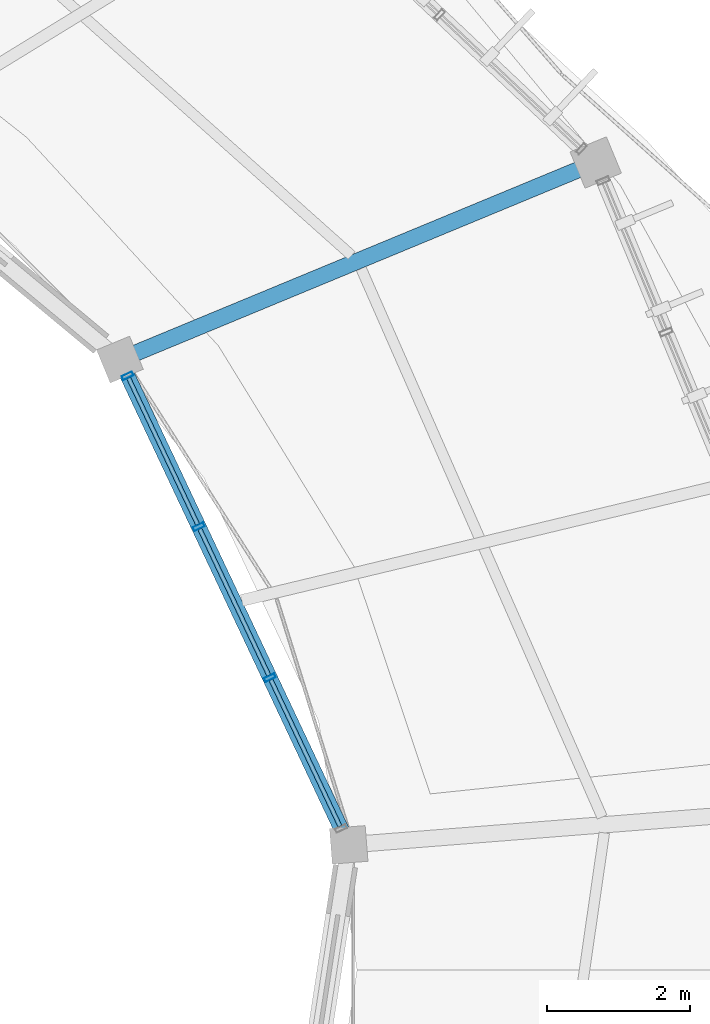
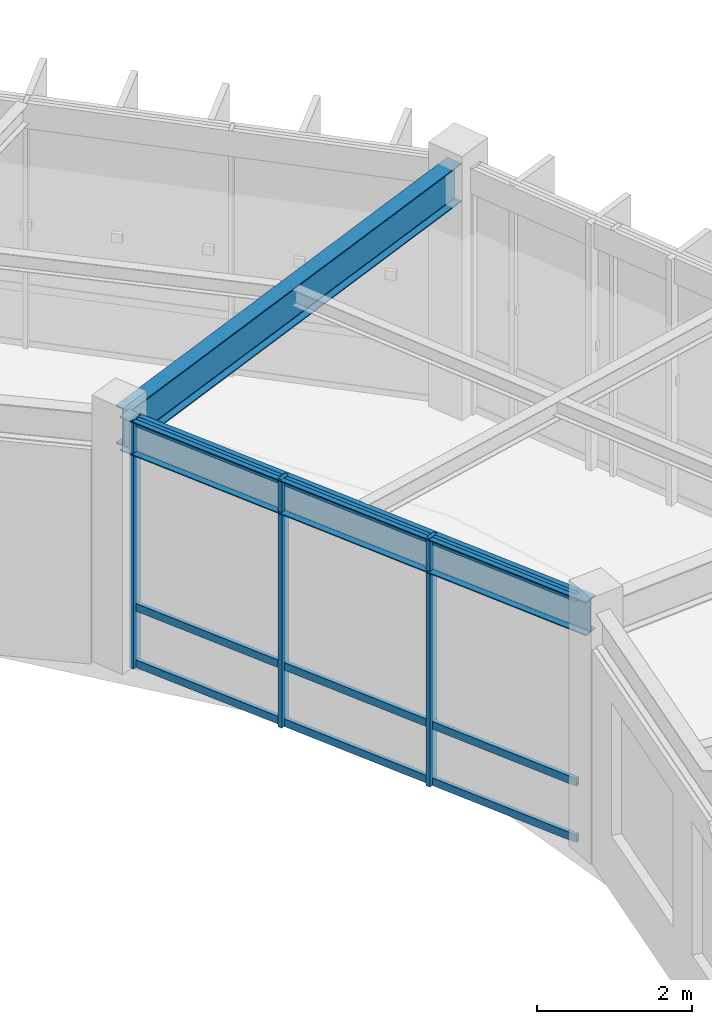
# One storey, part 53 of 79: 12 members, 2 beams, 1 element without a shape of its own.
"""IFC4 building model written with IfcOpenShell, lengths in metres."""

from ifc_helpers import new_model, si_unit, direction, frame, origin, origin_2d, place, context, subcontext, project, spatial, hollow_rectangle, i_section, extrude, material, material_profile, profile_set, type_object, element, aggregate, save


model = new_model("IFC4")

# Units and contexts
model_context = context("Model", 3, precision=1e-05, world=origin(), true_north=direction((0.0, 1.0)))
body_context = subcontext(model_context, "Body", "Model", "MODEL_VIEW")
ifc_project = project(units=[si_unit("LENGTHUNIT", "METRE"), si_unit("AREAUNIT", "SQUARE_METRE"), si_unit("VOLUMEUNIT", "CUBIC_METRE"), si_unit("PLANEANGLEUNIT", "RADIAN"), si_unit("MASSUNIT", "GRAM", prefix="KILO"), si_unit("THERMODYNAMICTEMPERATUREUNIT", "KELVIN"), si_unit("POWERUNIT", "WATT")], contexts=[model_context])

# Site, building, storey
site_placement = place(None, origin())
site = spatial("IfcSite", under=ifc_project, at=site_placement, CompositionType="ELEMENT")
building_placement = place(site_placement, origin())
building = spatial("IfcBuilding", under=site, at=building_placement, Name="Darbajah Civic Hall", CompositionType="ELEMENT")
storey_placement = place(building_placement, frame((0.0, 0.0, 22.199951171875)))
storey = spatial("IfcBuildingStorey", under=building, at=storey_placement, Name="L05", CompositionType="ELEMENT", Elevation=22.199951171875)

# Curtain wall, members
ifc_material_1 = material(Name="Anodised Bronze Aluminium and Low-E Glazing", Category="aluminium")
curtain_wall_type = type_object("IfcCurtainWallType", Name="Unitised Curtain Wall CW-78 7000x3900", PredefinedType="USERDEFINED", material=ifc_material_1)
curtain_wall_placement = place(storey_placement, origin())
curtain_wall = element("IfcCurtainWall", 1, at=curtain_wall_placement, inside=storey, type_object=curtain_wall_type, Name="L05 unitised curtain wall CW-V1I-L05-00", ObjectType="UNITISED CURTAIN WALL", PredefinedType="USERDEFINED")
ifc_material_2 = material(Name="Anodised Bronze Aluminium", Category="aluminium")
ifc_material_profile_1 = material_profile(ifc_material_2, hollow_rectangle(XDim=0.06005859375, YDim=0.159912109375, WallThickness=0.00341796875, at=origin_2d()), Name="ALU MULLION 60x160")
ifc_profile_set_1 = profile_set([ifc_material_profile_1], Name="Anodised Bronze Aluminium")
member_type_1 = type_object("IfcMemberType", Name="ALU MULLION 60x160", PredefinedType="MULLION", material=ifc_profile_set_1)
member_1_placement = place(storey_placement, frame((131.662841796875, 93.886962890625, 0.0), z_axis=(0.0, 0.0, 1.0), x_axis=(-0.426568739901, 0.904455145454, 0.0)))
member_1 = element("IfcMember", 2, at=member_1_placement, type_object=member_type_1, Name="CW-V1I-L05-00 mullion 2", PredefinedType="MULLION", context=body_context, shape_type="SweptSolid", body=[
    extrude(hollow_rectangle(XDim=0.06005859375, YDim=0.159912109375, WallThickness=0.00341796875, at=origin_2d()), origin(), (0.0, 0.0, 1.0), 3.920166015625),
])
member_2_placement = place(storey_placement, frame((130.668212890625, 95.996337890625, 0.0), z_axis=(0.0, 0.0, 1.0), x_axis=(-0.426568739901, 0.904455145454, 0.0)))
member_2 = element("IfcMember", 3, at=member_2_placement, type_object=member_type_1, Name="CW-V1I-L05-00 mullion 3", PredefinedType="MULLION", context=body_context, shape_type="SweptSolid", body=[
    extrude(hollow_rectangle(XDim=0.06005859375, YDim=0.159912109375, WallThickness=0.00341796875, at=origin_2d()), origin(), (0.0, 0.0, 1.0), 3.920166015625),
])
member_3_placement = place(storey_placement, frame((129.67333984375, 98.10595703125, 0.0), z_axis=(0.0, 0.0, 1.0), x_axis=(-0.426568739901, 0.904455145454, 0.0)))
member_3 = element("IfcMember", 4, at=member_3_placement, type_object=member_type_1, Name="CW-V1I-L05-00 mullion 4", PredefinedType="MULLION", context=body_context, shape_type="SweptSolid", body=[
    extrude(hollow_rectangle(XDim=0.06005859375, YDim=0.159912109375, WallThickness=0.00341796875, at=origin_2d()), origin(), (0.0, 0.0, 1.0), 3.920166015625),
])
ifc_material_profile_2 = material_profile(ifc_material_2, hollow_rectangle(XDim=0.06005859375, YDim=0.1201171875, WallThickness=0.003173828125, at=origin_2d()), Name="ALU TRANSOM 60x120")
ifc_profile_set_2 = profile_set([ifc_material_profile_2], Name="Anodised Bronze Aluminium")
member_type_2 = type_object("IfcMemberType", Name="ALU TRANSOM 60x120", PredefinedType="USERDEFINED", material=ifc_profile_set_2)
member_4_placement = place(storey_placement, frame((132.642578125, 91.80908203125, 0.06005859375), z_axis=(-0.426503743016, 0.904485797121, 0.0), x_axis=(-0.904485797121, -0.426503743016, 0.0)))
member_4 = element("IfcMember", 5, at=member_4_placement, type_object=member_type_2, Name="CW-V1I-L05-00 transom 1.1", ObjectType="TRANSOM", PredefinedType="USERDEFINED", context=body_context, shape_type="SweptSolid", body=[
    extrude(hollow_rectangle(XDim=0.06005859375, YDim=0.1201171875, WallThickness=0.003173828125, at=origin_2d()), origin(), (0.0, 0.0, 1.0), 2.26220703125),
])
member_5_placement = place(storey_placement, frame((132.642578125, 91.80908203125, 0.949951171875), z_axis=(-0.426503743016, 0.904485797121, 0.0), x_axis=(-0.904485797121, -0.426503743016, 0.0)))
member_5 = element("IfcMember", 6, at=member_5_placement, type_object=member_type_2, Name="CW-V1I-L05-00 transom 1.2", ObjectType="TRANSOM", PredefinedType="USERDEFINED", context=body_context, shape_type="SweptSolid", body=[
    extrude(hollow_rectangle(XDim=0.06005859375, YDim=0.1201171875, WallThickness=0.003173828125, at=origin_2d()), origin(), (0.0, 0.0, 1.0), 2.26220703125),
])
member_6_placement = place(storey_placement, frame((132.642578125, 91.80908203125, 3.860107421875), z_axis=(-0.426503743016, 0.904485797121, 0.0), x_axis=(-0.904485797121, -0.426503743016, 0.0)))
member_6 = element("IfcMember", 7, at=member_6_placement, type_object=member_type_2, Name="CW-V1I-L05-00 transom 1.3", ObjectType="TRANSOM", PredefinedType="USERDEFINED", context=body_context, shape_type="SweptSolid", body=[
    extrude(hollow_rectangle(XDim=0.06005859375, YDim=0.1201171875, WallThickness=0.003173828125, at=origin_2d()), origin(), (0.0, 0.0, 1.0), 2.26220703125),
])
member_7_placement = place(storey_placement, frame((131.64794921875, 93.918701171875, 0.06005859375), z_axis=(-0.426503743016, 0.904485797121, 0.0), x_axis=(-0.904485797121, -0.426503743016, 0.0)))
member_7 = element("IfcMember", 8, at=member_7_placement, type_object=member_type_2, Name="CW-V1I-L05-00 transom 2.1", ObjectType="TRANSOM", PredefinedType="USERDEFINED", context=body_context, shape_type="SweptSolid", body=[
    extrude(hollow_rectangle(XDim=0.06005859375, YDim=0.1201171875, WallThickness=0.003173828125, at=origin_2d()), origin(), (0.0, 0.0, 1.0), 2.26220703125),
])
member_8_placement = place(storey_placement, frame((131.64794921875, 93.918701171875, 0.949951171875), z_axis=(-0.426503743016, 0.904485797121, 0.0), x_axis=(-0.904485797121, -0.426503743016, 0.0)))
member_8 = element("IfcMember", 9, at=member_8_placement, type_object=member_type_2, Name="CW-V1I-L05-00 transom 2.2", ObjectType="TRANSOM", PredefinedType="USERDEFINED", context=body_context, shape_type="SweptSolid", body=[
    extrude(hollow_rectangle(XDim=0.06005859375, YDim=0.1201171875, WallThickness=0.003173828125, at=origin_2d()), origin(), (0.0, 0.0, 1.0), 2.26220703125),
])
member_9_placement = place(storey_placement, frame((131.64794921875, 93.918701171875, 3.860107421875), z_axis=(-0.426503743016, 0.904485797121, 0.0), x_axis=(-0.904485797121, -0.426503743016, 0.0)))
member_9 = element("IfcMember", 10, at=member_9_placement, type_object=member_type_2, Name="CW-V1I-L05-00 transom 2.3", ObjectType="TRANSOM", PredefinedType="USERDEFINED", context=body_context, shape_type="SweptSolid", body=[
    extrude(hollow_rectangle(XDim=0.06005859375, YDim=0.1201171875, WallThickness=0.003173828125, at=origin_2d()), origin(), (0.0, 0.0, 1.0), 2.26220703125),
])
member_10_placement = place(storey_placement, frame((130.6533203125, 96.028076171875, 0.06005859375), z_axis=(-0.426592026493, 0.904444162418, 0.0), x_axis=(-0.904444162418, -0.426592026493, 0.0)))
member_10 = element("IfcMember", 11, at=member_10_placement, type_object=member_type_2, Name="CW-V1I-L05-00 transom 3.1", ObjectType="TRANSOM", PredefinedType="USERDEFINED", context=body_context, shape_type="SweptSolid", body=[
    extrude(hollow_rectangle(XDim=0.06005859375, YDim=0.1201171875, WallThickness=0.003173828125, at=origin_2d()), origin(), (0.0, 0.0, 1.0), 2.26220703125),
])
member_11_placement = place(storey_placement, frame((130.6533203125, 96.028076171875, 0.949951171875), z_axis=(-0.426592026493, 0.904444162418, 0.0), x_axis=(-0.904444162418, -0.426592026493, 0.0)))
member_11 = element("IfcMember", 12, at=member_11_placement, type_object=member_type_2, Name="CW-V1I-L05-00 transom 3.2", ObjectType="TRANSOM", PredefinedType="USERDEFINED", context=body_context, shape_type="SweptSolid", body=[
    extrude(hollow_rectangle(XDim=0.06005859375, YDim=0.1201171875, WallThickness=0.003173828125, at=origin_2d()), origin(), (0.0, 0.0, 1.0), 2.26220703125),
])
member_12_placement = place(storey_placement, frame((130.6533203125, 96.028076171875, 3.860107421875), z_axis=(-0.426592026493, 0.904444162418, 0.0), x_axis=(-0.904444162418, -0.426592026493, 0.0)))
member_12 = element("IfcMember", 13, at=member_12_placement, type_object=member_type_2, Name="CW-V1I-L05-00 transom 3.3", ObjectType="TRANSOM", PredefinedType="USERDEFINED", context=body_context, shape_type="SweptSolid", body=[
    extrude(hollow_rectangle(XDim=0.06005859375, YDim=0.1201171875, WallThickness=0.003173828125, at=origin_2d()), origin(), (0.0, 0.0, 1.0), 2.26220703125),
])
aggregate(curtain_wall, [member_1, member_2, member_3, member_4, member_5, member_6, member_7, member_8, member_9, member_10, member_11, member_12])

# Beams
ifc_material_3 = material(Name="Steel S355JR", Category="steel")
ifc_material_profile_3 = material_profile(ifc_material_3, i_section(OverallWidth=0.209228515625, OverallDepth=0.533203125, WebThickness=0.010009765625, FlangeThickness=0.015625, FilletRadius=0.0126953125, at=origin_2d()), Name="UB 533x210x92")
ifc_profile_set_3 = profile_set([ifc_material_profile_3], Name="Steel S355JR")
beam_type_1 = type_object("IfcBeamType", Name="UB 533x210x92", PredefinedType="BEAM", material=ifc_profile_set_3)
beam_1_placement = place(storey_placement, frame((132.73095703125, 91.6220703125, 3.653564453125), z_axis=(-0.426514469485, 0.904480739054, 0.0), x_axis=(-0.904480739054, -0.426514469485, 0.0)))
element("IfcBeam", 14, at=beam_1_placement, inside=storey, type_object=beam_type_1, Name="L05 beam SB-533", PredefinedType="BEAM", context=body_context, shape_type="SweptSolid", body=[
    extrude(i_section(OverallWidth=0.209228515625, OverallDepth=0.533203125, WebThickness=0.010009765625, FlangeThickness=0.015625, FilletRadius=0.0126953125, at=origin_2d()), origin(), (0.0, 0.0, 1.0), 7.340576171875),
])
ifc_material_profile_4 = material_profile(ifc_material_3, i_section(OverallWidth=0.228271484375, OverallDepth=0.607666015625, WebThickness=0.010986328125, FlangeThickness=0.017333984375, FilletRadius=0.0126953125, at=origin_2d()), Name="UB 610x229x113")
ifc_profile_set_4 = profile_set([ifc_material_profile_4], Name="Steel S355JR")
beam_type_2 = type_object("IfcBeamType", Name="UB 610x229x113", PredefinedType="BEAM", material=ifc_profile_set_4)
beam_2_placement = place(storey_placement, frame((129.639892578125, 98.364501953125, 3.6162109375), z_axis=(0.923880311259, 0.382681552297, 0.0), x_axis=(-0.382681552297, 0.923880311259, 0.0)))
element("IfcBeam", 15, at=beam_2_placement, inside=storey, type_object=beam_type_2, Name="L05 beam SB-610", PredefinedType="BEAM", context=body_context, shape_type="SweptSolid", body=[
    extrude(i_section(OverallWidth=0.228271484375, OverallDepth=0.607666015625, WebThickness=0.010986328125, FlangeThickness=0.017333984375, FilletRadius=0.0126953125, at=origin_2d()), origin(), (0.0, 0.0, 1.0), 7.0400390625),
])

save(model, "model.ifc")
